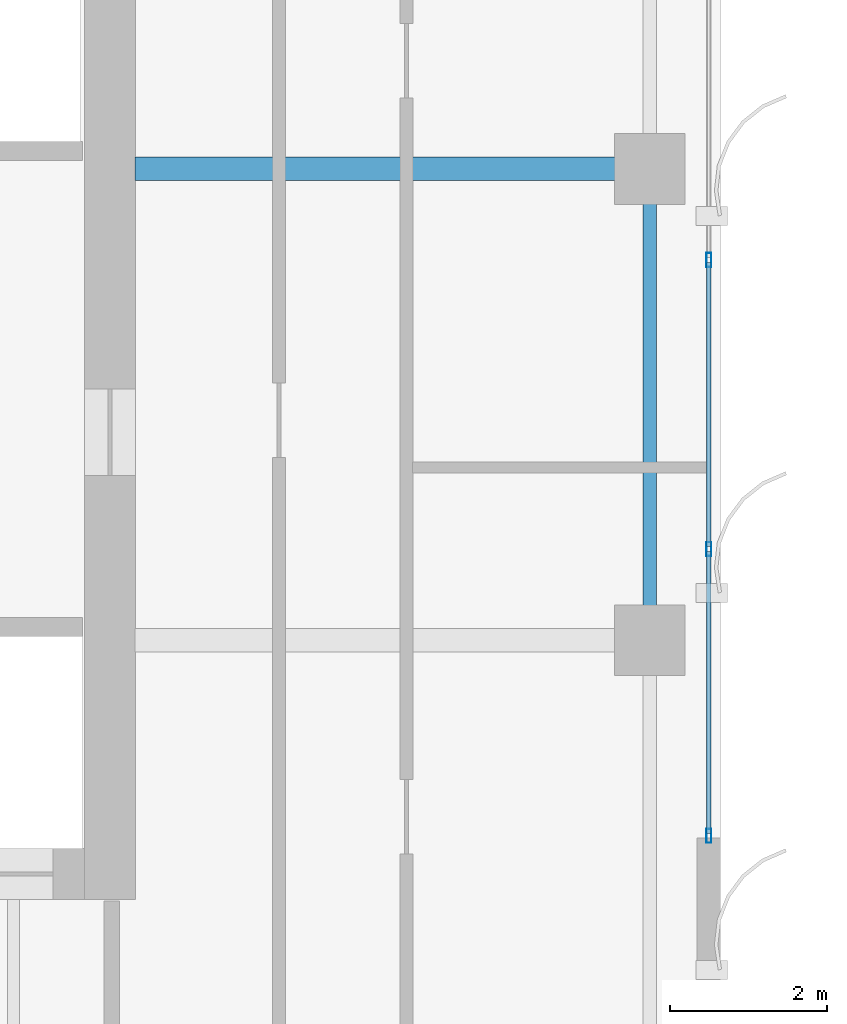
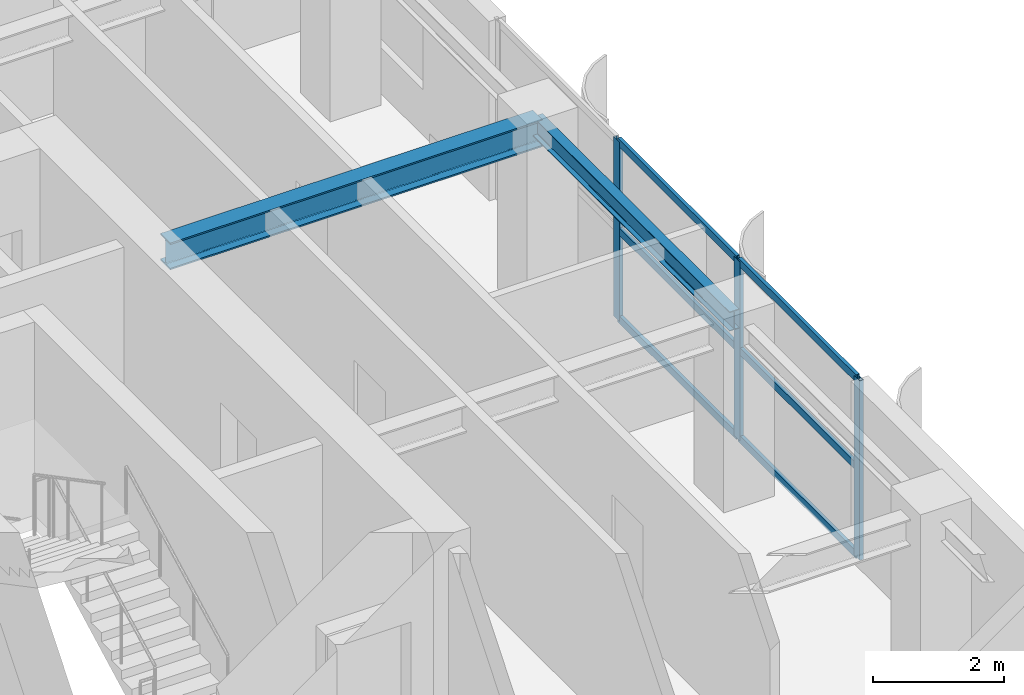
# One storey, part 11 of 22: 9 members, 2 beams, 1 element without a shape of its own.
"""IFC4 building model written with IfcOpenShell, lengths in metres."""

from ifc_helpers import new_model, si_unit, direction, frame, origin, origin_2d, place, context, subcontext, project, spatial, hollow_rectangle, i_section, extrude, source, transform, mapped, material, layer, layer_set, material_profile, profile_set, type_object, element, aggregate, save


model = new_model("IFC4")

# Units and contexts
model_context = context("Model", 3, precision=1e-05, world=origin(), true_north=direction((0.0, 1.0)))
body_context = subcontext(model_context, "Body", "Model", "MODEL_VIEW")
ifc_project = project(units=[si_unit("LENGTHUNIT", "METRE"), si_unit("AREAUNIT", "SQUARE_METRE"), si_unit("VOLUMEUNIT", "CUBIC_METRE"), si_unit("PLANEANGLEUNIT", "RADIAN"), si_unit("MASSUNIT", "GRAM", prefix="KILO")], contexts=[model_context])

# Site, building, storey
site_placement = place(None, origin())
site = spatial("IfcSite", under=ifc_project, at=site_placement, CompositionType="ELEMENT")
building_placement = place(site_placement, origin())
building = spatial("IfcBuilding", under=site, at=building_placement, Name="Khoralis Quay Care Tower", CompositionType="ELEMENT")
storey_placement = place(building_placement, frame((0.0, 0.0, 202.5)))
storey = spatial("IfcBuildingStorey", under=building, at=storey_placement, Name="L53", CompositionType="ELEMENT", Elevation=202.5)

# Beams
ifc_material_1 = material(Name="Steel S355", Category="steel")
ifc_material_profile_1 = material_profile(ifc_material_1, i_section(OverallWidth=0.169921875, OverallDepth=0.360107421875, WebThickness=0.008056640625, FlangeThickness=0.0126953125, FilletRadius=0.01806640625, at=origin_2d()), Name="Steel S355")
ifc_profile_set_1 = profile_set([ifc_material_profile_1], Name="Steel S355")
beam_type_1 = type_object("IfcBeamType", Name="BM-IPE360", PredefinedType="SPANDREL", material=ifc_profile_set_1)
shared_shape_1 = source(origin(), body_context, "Body", "SweptSolid", [
    extrude(i_section(OverallWidth=0.169921875, OverallDepth=0.360107421875, WebThickness=0.008056640625, FlangeThickness=0.0126953125, FilletRadius=0.01806640625, at=origin_2d()), origin(), (0.0, 0.0, 1.0), 6.0),
])
beam_1_placement = place(storey_placement, frame((44.10009765625, 18.0, 3.159912109375), z_axis=(0.0, 1.0, 0.0), x_axis=(-1.0, 0.0, 0.0)))
element("IfcBeam", 1, at=beam_1_placement, inside=storey, type_object=beam_type_1, Name="BM-TSP-L53-12", PredefinedType="SPANDREL", context=body_context, shape_type="MappedRepresentation", body=[
    mapped(shared_shape_1, transform((0.0, 0.0, 0.0), scale=1.0)),
])
ifc_material_profile_2 = material_profile(ifc_material_1, i_section(OverallWidth=0.300048828125, OverallDepth=0.5, WebThickness=0.014404296875, FlangeThickness=0.028076171875, FilletRadius=0.027099609375, at=origin_2d()), Name="Steel S355")
ifc_profile_set_2 = profile_set([ifc_material_profile_2], Name="Steel S355")
beam_type_2 = type_object("IfcBeamType", Name="BM-HEB500", PredefinedType="BEAM", material=ifc_profile_set_2)
shared_shape_2 = source(origin(), body_context, "Body", "SweptSolid", [
    extrude(i_section(OverallWidth=0.300048828125, OverallDepth=0.5, WebThickness=0.014404296875, FlangeThickness=0.028076171875, FilletRadius=0.027099609375, at=origin_2d()), origin(), (0.0, 0.0, 1.0), 6.552001953125),
])
beam_2_placement = place(storey_placement, frame((37.548095703125, 24.0, 3.090087890625), z_axis=(1.0, 0.0, 0.0), x_axis=(0.0, 1.0, 0.0)))
element("IfcBeam", 2, at=beam_2_placement, inside=storey, type_object=beam_type_2, Name="BM-TGXE-L53-240", PredefinedType="BEAM", context=body_context, shape_type="MappedRepresentation", body=[
    mapped(shared_shape_2, transform((0.0, 0.0, 0.0), scale=1.0)),
])

# Curtain wall, members
ifc_material_2 = material(Name="Pale anodised aluminium", Category="aluminium")
ifc_layer = layer(ifc_material_2, 0.159912109375)
ifc_layer_set = layer_set([ifc_layer], Name="Pale anodised aluminium")
curtain_wall_type = type_object("IfcCurtainWallType", Name="CW-SYS-Z3", PredefinedType="NOTDEFINED", material=ifc_layer_set)
curtain_wall_placement = place(storey_placement, origin())
curtain_wall = element("IfcCurtainWall", 3, at=curtain_wall_placement, inside=storey, type_object=curtain_wall_type, Name="L53 Unitised Curtain Wall CW-L53-P2-E5", PredefinedType="NOTDEFINED")
ifc_material_profile_3 = material_profile(ifc_material_2, hollow_rectangle(XDim=0.06494140625, YDim=0.179931640625, WallThickness=0.00390625, at=origin_2d()), Name="Pale anodised aluminium")
ifc_profile_set_3 = profile_set([ifc_material_profile_3], Name="Pale anodised aluminium")
member_type_1 = type_object("IfcMemberType", Name="CW-MUL-180", PredefinedType="MULLION", material=ifc_profile_set_3)
shared_shape_3 = source(origin(), body_context, "Body", "SweptSolid", [
    extrude(hollow_rectangle(XDim=0.06494140625, YDim=0.179931640625, WallThickness=0.00390625, at=origin_2d()), origin(), (0.0, 0.0, 1.0), 3.340087890625),
])
member_1_placement = place(storey_placement, frame((44.85009765625, 15.510009765625, 0.0), z_axis=(0.0, 0.0, 1.0), x_axis=(-1.0, 0.0, 0.0)))
member_1 = element("IfcMember", 4, at=member_1_placement, type_object=member_type_1, Name="CW3 mullion 1", PredefinedType="MULLION", context=body_context, shape_type="MappedRepresentation", body=[
    mapped(shared_shape_3, transform((0.0, 0.0, 0.0), scale=1.0)),
])
member_2_placement = place(storey_placement, frame((44.85009765625, 19.159912109375, 0.0), z_axis=(0.0, 0.0, 1.0), x_axis=(-1.0, 0.0, 0.0)))
member_2 = element("IfcMember", 5, at=member_2_placement, type_object=member_type_1, Name="CW3 mullion 2", PredefinedType="MULLION", context=body_context, shape_type="MappedRepresentation", body=[
    mapped(shared_shape_3, transform((0.0, 0.0, 0.0), scale=1.0)),
])
member_3_placement = place(storey_placement, frame((44.85009765625, 22.840087890625, 0.0), z_axis=(0.0, 0.0, 1.0), x_axis=(-1.0, 0.0, 0.0)))
member_3 = element("IfcMember", 6, at=member_3_placement, type_object=member_type_1, Name="CW3 mullion 3", PredefinedType="MULLION", context=body_context, shape_type="MappedRepresentation", body=[
    mapped(shared_shape_3, transform((0.0, 0.0, 0.0), scale=1.0)),
])
ifc_material_profile_4 = material_profile(ifc_material_2, hollow_rectangle(XDim=0.06005859375, YDim=0.139892578125, WallThickness=0.00390625, at=origin_2d()), Name="Pale anodised aluminium")
ifc_profile_set_4 = profile_set([ifc_material_profile_4], Name="Pale anodised aluminium")
member_type_2 = type_object("IfcMemberType", Name="CW-TRN-140", PredefinedType="USERDEFINED", material=ifc_profile_set_4)
shared_shape_4 = source(origin(), body_context, "Body", "SweptSolid", [
    extrude(hollow_rectangle(XDim=0.06005859375, YDim=0.139892578125, WallThickness=0.00390625, at=origin_2d()), origin(), (0.0, 0.0, 1.0), 3.58984375),
])
member_4_placement = place(storey_placement, frame((44.85009765625, 15.5400390625, 0.030029296875), z_axis=(0.0, 1.0, 0.0), x_axis=(-1.0, 0.0, 0.0)))
member_4 = element("IfcMember", 7, at=member_4_placement, type_object=member_type_2, Name="CW3 transom 1.1", ObjectType="TRANSOM", PredefinedType="USERDEFINED", context=body_context, shape_type="MappedRepresentation", body=[
    mapped(shared_shape_4, transform((0.0, 0.0, 0.0), scale=1.0)),
])
member_5_placement = place(storey_placement, frame((44.85009765625, 15.5400390625, 1.669921875), z_axis=(0.0, 1.0, 0.0), x_axis=(-1.0, 0.0, 0.0)))
member_5 = element("IfcMember", 8, at=member_5_placement, type_object=member_type_2, Name="CW3 transom 1.2", ObjectType="TRANSOM", PredefinedType="USERDEFINED", context=body_context, shape_type="MappedRepresentation", body=[
    mapped(shared_shape_4, transform((0.0, 0.0, 0.0), scale=1.0)),
])
member_6_placement = place(storey_placement, frame((44.85009765625, 15.5400390625, 3.31005859375), z_axis=(0.0, 1.0, 0.0), x_axis=(-1.0, 0.0, 0.0)))
member_6 = element("IfcMember", 9, at=member_6_placement, type_object=member_type_2, Name="CW3 transom 1.3", ObjectType="TRANSOM", PredefinedType="USERDEFINED", context=body_context, shape_type="MappedRepresentation", body=[
    mapped(shared_shape_4, transform((0.0, 0.0, 0.0), scale=1.0)),
])
shared_shape_5 = source(origin(), body_context, "Body", "SweptSolid", [
    extrude(hollow_rectangle(XDim=0.06005859375, YDim=0.139892578125, WallThickness=0.00390625, at=origin_2d()), origin(), (0.0, 0.0, 1.0), 3.6201171875),
])
member_7_placement = place(storey_placement, frame((44.85009765625, 19.18994140625, 0.030029296875), z_axis=(0.0, 1.0, 0.0), x_axis=(-1.0, 0.0, 0.0)))
member_7 = element("IfcMember", 10, at=member_7_placement, type_object=member_type_2, Name="CW3 transom 2.1", ObjectType="TRANSOM", PredefinedType="USERDEFINED", context=body_context, shape_type="MappedRepresentation", body=[
    mapped(shared_shape_5, transform((0.0, 0.0, 0.0), scale=1.0)),
])
member_8_placement = place(storey_placement, frame((44.85009765625, 19.18994140625, 1.669921875), z_axis=(0.0, 1.0, 0.0), x_axis=(-1.0, 0.0, 0.0)))
member_8 = element("IfcMember", 11, at=member_8_placement, type_object=member_type_2, Name="CW3 transom 2.2", ObjectType="TRANSOM", PredefinedType="USERDEFINED", context=body_context, shape_type="MappedRepresentation", body=[
    mapped(shared_shape_5, transform((0.0, 0.0, 0.0), scale=1.0)),
])
member_9_placement = place(storey_placement, frame((44.85009765625, 19.18994140625, 3.31005859375), z_axis=(0.0, 1.0, 0.0), x_axis=(-1.0, 0.0, 0.0)))
member_9 = element("IfcMember", 12, at=member_9_placement, type_object=member_type_2, Name="CW3 transom 2.3", ObjectType="TRANSOM", PredefinedType="USERDEFINED", context=body_context, shape_type="MappedRepresentation", body=[
    mapped(shared_shape_5, transform((0.0, 0.0, 0.0), scale=1.0)),
])
aggregate(curtain_wall, [member_1, member_2, member_3, member_4, member_5, member_6, member_7, member_8, member_9])

save(model, "model.ifc")
